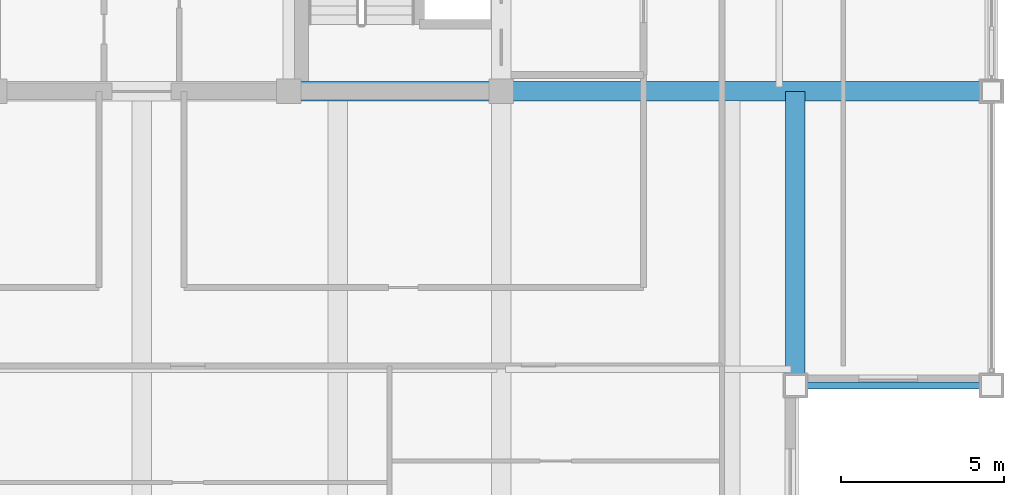
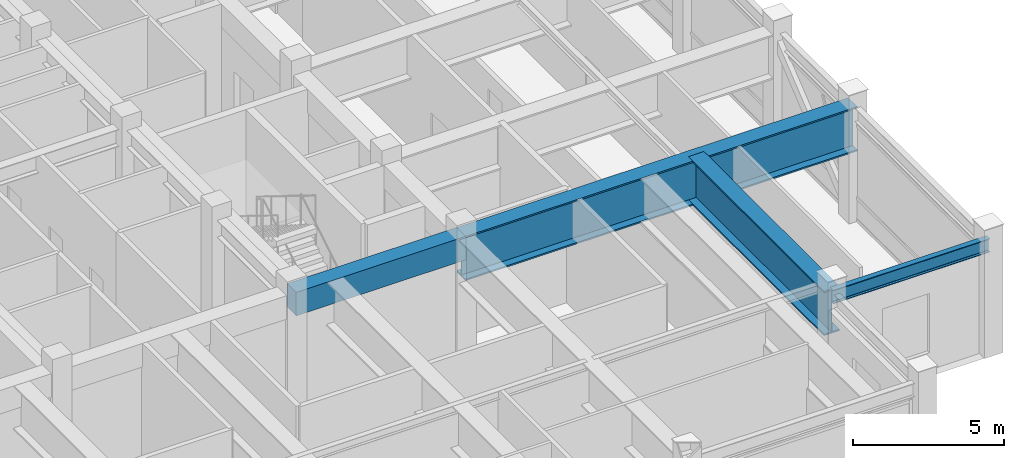
# One storey, part 9 of 29: 4 beams.
"""IFC4 building model written with IfcOpenShell, lengths in metres."""

from ifc_helpers import new_model, si_unit, direction, frame, origin, origin_2d, place, context, subcontext, project, spatial, rectangle, i_section, extrude, source, transform, mapped, material, material_profile, profile_set, type_object, element, save


model = new_model("IFC4")

# Units and contexts
model_context = context("Model", 3, precision=1e-05, world=origin(), true_north=direction((0.0, 1.0)))
body_context = subcontext(model_context, "Body", "Model", "MODEL_VIEW")
ifc_project = project(units=[si_unit("LENGTHUNIT", "METRE"), si_unit("AREAUNIT", "SQUARE_METRE"), si_unit("VOLUMEUNIT", "CUBIC_METRE"), si_unit("PLANEANGLEUNIT", "RADIAN"), si_unit("MASSUNIT", "GRAM", prefix="KILO")], contexts=[model_context])

# Site, building, storey
site_placement = place(None, origin())
site = spatial("IfcSite", under=ifc_project, at=site_placement, CompositionType="ELEMENT")
building_placement = place(site_placement, origin())
building = spatial("IfcBuilding", under=site, at=building_placement, Name="Khorayat Bourse Tower", CompositionType="ELEMENT")
storey_placement = place(building_placement, frame((0.0, 0.0, 370.300048828125)))
storey = spatial("IfcBuildingStorey", under=building, at=storey_placement, Name="L88", CompositionType="ELEMENT", Elevation=370.300048828125)

# Beams
ifc_material_1 = material(Name="Concrete C60/75", Category="concrete")
ifc_material_profile_1 = material_profile(ifc_material_1, rectangle(XDim=0.60009765625, YDim=0.949951171875, at=origin_2d()), Name="RC 600x950")
ifc_profile_set_1 = profile_set([ifc_material_profile_1], Name="Concrete C60/75")
beam_type_1 = type_object("IfcBeamType", Name="BM-COUP-950", PredefinedType="BEAM", material=ifc_profile_set_1)
shared_shape_1 = source(origin(), body_context, "Body", "SweptSolid", [
    extrude(rectangle(XDim=0.60009765625, YDim=0.949951171875, at=origin_2d()), origin(), (0.0, 0.0, 1.0), 6.5),
])
beam_1_placement = place(storey_placement, frame((4.5, -11.0, 4.125), z_axis=(1.0, 0.0, 0.0), x_axis=(0.0, 1.0, 0.0)))
element("IfcBeam", 1, at=beam_1_placement, inside=storey, type_object=beam_type_1, Name="L88 BM-COUP-950 BM-L88-CRY-19", PredefinedType="BEAM", context=body_context, shape_type="MappedRepresentation", body=[
    mapped(shared_shape_1, transform((0.0, 0.0, 0.0), scale=1.0)),
])
ifc_material_2 = material(Name="Steel ASTM A992 Grade 50", Category="steel")
ifc_material_profile_2 = material_profile(ifc_material_2, i_section(OverallWidth=0.214111328125, OverallDepth=0.549072265625, WebThickness=0.0146484375, FlangeThickness=0.023681640625, FilletRadius=0.013916015625, at=origin_2d()), Name="W530X138")
ifc_profile_set_2 = profile_set([ifc_material_profile_2], Name="Steel ASTM A992 Grade 50")
beam_type_2 = type_object("IfcBeamType", Name="BM-SPAN-530", PredefinedType="SPANDREL", material=ifc_profile_set_2)
shared_shape_2 = source(origin(), body_context, "Body", "SweptSolid", [
    extrude(i_section(OverallWidth=0.214111328125, OverallDepth=0.549072265625, WebThickness=0.0146484375, FlangeThickness=0.023681640625, FilletRadius=0.013916015625, at=origin_2d()), origin(), (0.0, 0.0, 1.0), 6.0),
])
beam_2_placement = place(storey_placement, frame((20.0, -20.0, 4.325439453125), z_axis=(1.0, 0.0, 0.0), x_axis=(0.0, 1.0, 0.0)))
element("IfcBeam", 2, at=beam_2_placement, inside=storey, type_object=beam_type_2, Name="L88 BM-SPAN-530 BM-L88-SPN-031", PredefinedType="SPANDREL", context=body_context, shape_type="MappedRepresentation", body=[
    mapped(shared_shape_2, transform((0.0, 0.0, 0.0), scale=1.0)),
])
ifc_material_3 = material(Name="Steel EN 10025-4 S460M", Category="steel")
ifc_material_profile_3 = material_profile(ifc_material_3, i_section(OverallWidth=0.60009765625, OverallDepth=1.800048828125, WebThickness=0.031982421875, FlangeThickness=0.06005859375, at=origin_2d()), Name="PG 1800x600x32x60")
ifc_profile_set_3 = profile_set([ifc_material_profile_3], Name="Steel EN 10025-4 S460M")
beam_type_3 = type_object("IfcBeamType", Name="BM-TR-1800", PredefinedType="BEAM", material=ifc_profile_set_3)
shared_shape_3 = source(origin(), body_context, "Body", "SweptSolid", [
    extrude(i_section(OverallWidth=0.60009765625, OverallDepth=1.800048828125, WebThickness=0.031982421875, FlangeThickness=0.06005859375, at=origin_2d()), origin(), (0.0, 0.0, 1.0), 15.0),
])
beam_3_placement = place(storey_placement, frame((11.0, -11.0, 3.699951171875), z_axis=(1.0, 0.0, 0.0), x_axis=(0.0, 1.0, 0.0)))
element("IfcBeam", 3, at=beam_3_placement, inside=storey, type_object=beam_type_3, Name="L88 BM-TR-1800 BM-L88-RADX-066", PredefinedType="BEAM", context=body_context, shape_type="MappedRepresentation", body=[
    mapped(shared_shape_3, transform((0.0, 0.0, 0.0), scale=1.0)),
])
shared_shape_4 = source(origin(), body_context, "Body", "SweptSolid", [
    extrude(i_section(OverallWidth=0.60009765625, OverallDepth=1.800048828125, WebThickness=0.031982421875, FlangeThickness=0.06005859375, at=origin_2d()), origin(), (0.0, 0.0, 1.0), 9.0),
])
beam_4_placement = place(storey_placement, frame((20.0, -20.0, 3.699951171875), z_axis=(0.0, 1.0, 0.0), x_axis=(-1.0, 0.0, 0.0)))
element("IfcBeam", 4, at=beam_4_placement, inside=storey, type_object=beam_type_3, Name="L88 BM-TR-1800 BM-L88-CNRY-082", PredefinedType="BEAM", context=body_context, shape_type="MappedRepresentation", body=[
    mapped(shared_shape_4, transform((0.0, 0.0, 0.0), scale=1.0)),
])

save(model, "model.ifc")
